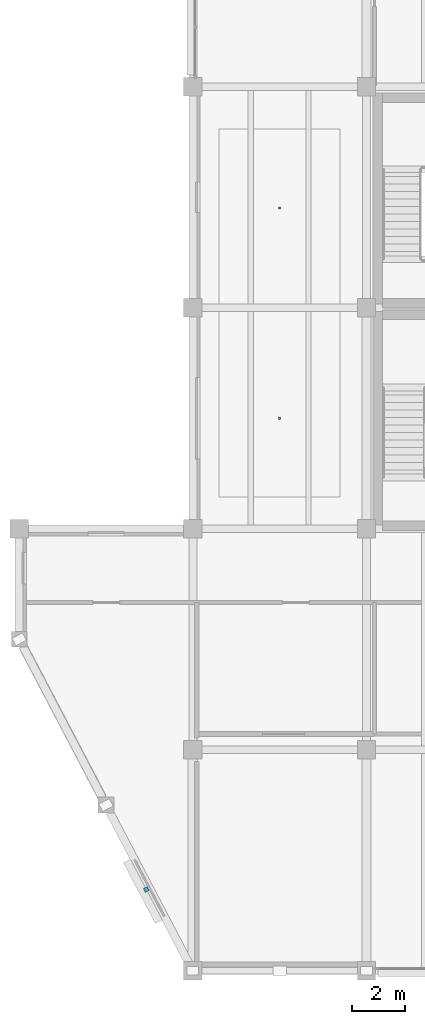
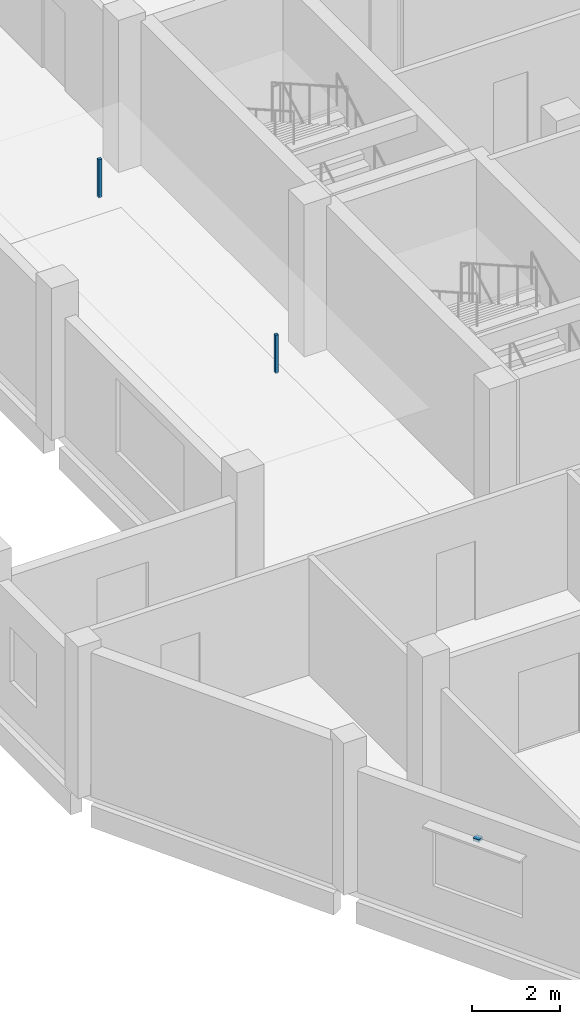
# One storey, part 41 of 47: 3 discrete accessories.
"""IFC4 building model written with IfcOpenShell, lengths in metres."""

from ifc_helpers import new_model, si_unit, direction, frame, origin, origin_2d, place, context, subcontext, project, spatial, rectangle, extrude, material, layer, layer_set, type_object, element, save


model = new_model("IFC4")

# Units and contexts
model_context = context("Model", 3, precision=1e-05, world=origin(), true_north=direction((0.0, 1.0)))
body_context = subcontext(model_context, "Body", "Model", "MODEL_VIEW")
ifc_project = project(units=[si_unit("LENGTHUNIT", "METRE"), si_unit("AREAUNIT", "SQUARE_METRE"), si_unit("VOLUMEUNIT", "CUBIC_METRE"), si_unit("PLANEANGLEUNIT", "RADIAN"), si_unit("MASSUNIT", "GRAM", prefix="KILO")], contexts=[model_context])

# Site, building, storey
site_placement = place(None, origin())
site = spatial("IfcSite", under=ifc_project, at=site_placement, CompositionType="ELEMENT")
building_placement = place(site_placement, origin())
building = spatial("IfcBuilding", under=site, at=building_placement, Name="Qaldarim Faculty of Natural and Applied Sciences", CompositionType="ELEMENT")
storey_placement = place(building_placement, frame((0.0, 0.0, 22.800048828125)))
storey = spatial("IfcBuildingStorey", under=building, at=storey_placement, Name="L05", CompositionType="ELEMENT", Elevation=22.800048828125)

# Discrete accessories
ifc_material = material(Name="Architectural stainless steel 316", Category="steel")
ifc_layer = layer(ifc_material, 0.080078125)
ifc_layer_set = layer_set([ifc_layer], Name="Architectural stainless steel 316")
discrete_accessory_type = type_object("IfcDiscreteAccessoryType", Name="FacadeBracket-SS120", PredefinedType="BRACKET", material=ifc_layer_set)
discrete_accessory_placement = place(storey_placement, frame((156.625, 3.0849609375, 2.659912109375), z_axis=(0.0, 0.0, 1.0), x_axis=(0.46447113214, -0.885588260654, 0.0)))
element("IfcDiscreteAccessory", 1, at=discrete_accessory_placement, inside=storey, type_object=discrete_accessory_type, Name="Oblique solar louvre bracket SHD-OBL-SW-L05-2", PredefinedType="BRACKET", context=body_context, shape_type="SweptSolid", body=[
    extrude(rectangle(XDim=0.159912109375, YDim=0.159912109375, at=origin_2d()), origin(), (0.0, 0.0, 1.0), 0.080078125),
])
for number, where, z_axis, x_axis, name in (
    (2, (161.699951171875, 21.0, 2.94970703125), (0.0, 0.0, 1.0), (1.0, 0.0, 0.0), "Ceiling suspension hanger L05 1"),
    (3, (161.699951171875, 29.0, 2.94970703125), (0.0, 0.0, 1.0), (1.0, 0.0, 0.0), "Ceiling suspension hanger L05 2"),
):
    element("IfcDiscreteAccessory", number, at=place(storey_placement, frame(where, z_axis=z_axis, x_axis=x_axis)), inside=storey, type_object=discrete_accessory_type, Name=name, PredefinedType="BRACKET", context=body_context, shape_type="SweptSolid", body=[
        extrude(rectangle(XDim=0.080078125, YDim=0.080078125, at=origin_2d()), origin(), (0.0, 0.0, 1.0), 1.050048828125),
    ])

save(model, "model.ifc")
